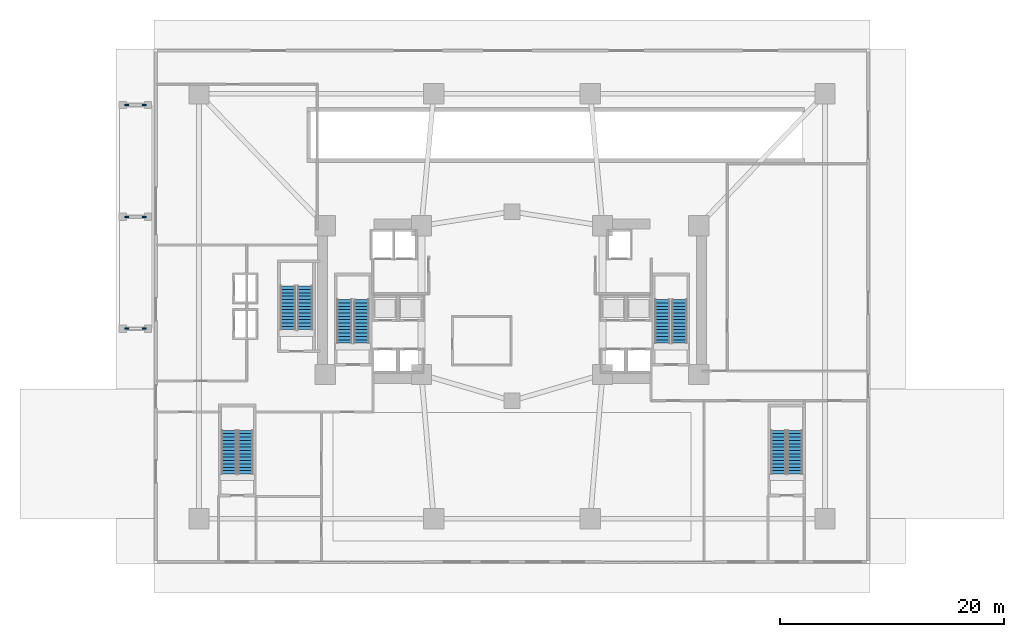
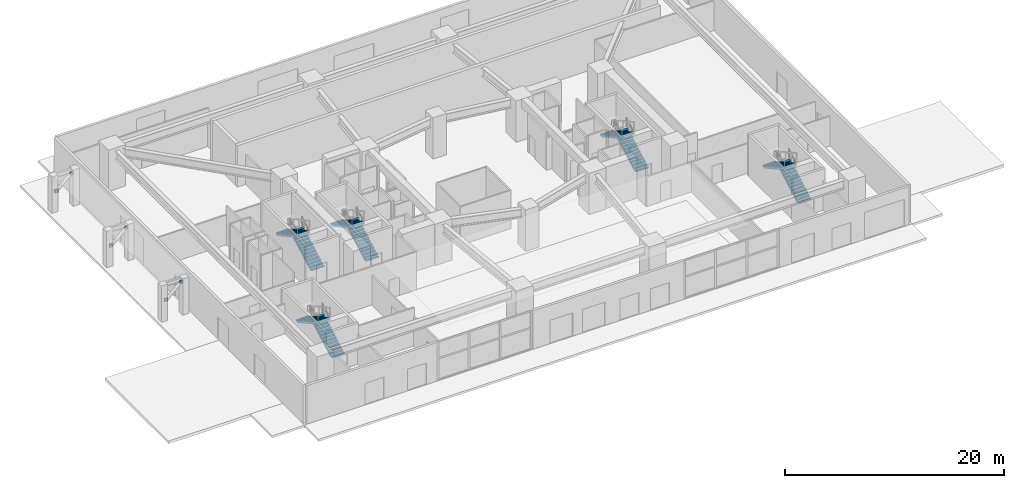
# One storey, part 14 of 18: 10 stair flights, 6 discrete accessories, 5 elements without a shape of their own.
"""IFC4 building model written with IfcOpenShell, lengths in metres."""

from ifc_helpers import new_model, si_unit, direction, frame, origin, origin_2d, place, context, subcontext, project, spatial, polyline, rectangle, outline, extrude, material, layer, layer_set, type_object, element, aggregate, save


model = new_model("IFC4")

# Units and contexts
model_context = context("Model", 3, precision=1e-05, world=origin(), true_north=direction((0.0, 1.0)))
body_context = subcontext(model_context, "Body", "Model", "MODEL_VIEW")
ifc_project = project(units=[si_unit("LENGTHUNIT", "METRE"), si_unit("AREAUNIT", "SQUARE_METRE"), si_unit("VOLUMEUNIT", "CUBIC_METRE"), si_unit("PLANEANGLEUNIT", "RADIAN"), si_unit("MASSUNIT", "GRAM", prefix="KILO")], contexts=[model_context])

# Site, building, storey
site_placement = place(None, origin())
site = spatial("IfcSite", under=ifc_project, at=site_placement, CompositionType="ELEMENT")
building_placement = place(site_placement, origin())
building = spatial("IfcBuilding", under=site, at=building_placement, Name="Solvane Sanctuary Tower", CompositionType="ELEMENT")
storey_placement = place(building_placement, origin())
storey = spatial("IfcBuildingStorey", under=building, at=storey_placement, Name="L01", CompositionType="ELEMENT", Elevation=0.0)

# Stair, stair flights
ifc_material_1 = material(Name="Concrete C50/60", Category="concrete")
stair_type_1 = type_object("IfcStairType", Name="Stair ST-METRO", PredefinedType="HALF_TURN_STAIR", material=ifc_material_1)
stair_1_placement = place(storey_placement, origin())
stair_1 = element("IfcStair", 1, at=stair_1_placement, inside=storey, type_object=stair_type_1, Name="L01 Exit Stair ST-5 Metro East Stair", PredefinedType="HALF_TURN_STAIR")
stair_flight_type_1 = type_object("IfcStairFlightType", Name="StairFlight SF-METRO", PredefinedType="STRAIGHT", material=ifc_material_1)
stair_flight_1_placement = place(storey_placement, frame((57.324951171875, 8.0, 0.0), z_axis=(0.0, 0.0, 1.0), x_axis=(0.0, 1.0, 0.0)))
stair_flight_1 = element("IfcStairFlight", 2, at=stair_flight_1_placement, type_object=stair_flight_type_1, Name="ST-5 flight 1", NumberOfRisers=14, NumberOfTreads=13, PredefinedType="STRAIGHT", RiserHeight=0.164285714, TreadLength=0.3, context=body_context, shape_type="SweptSolid", body=[
    extrude(outline(polyline([(0.0, 0.0), (0.0, 0.164306640625), (0.300048828125, 0.164306640625), (0.300048828125, 0.32861328125), (0.60009765625, 0.32861328125), (0.60009765625, 0.492919921875), (0.89990234375, 0.492919921875), (0.89990234375, 0.6572265625), (1.199951171875, 0.6572265625), (1.199951171875, 0.821533203125), (1.5, 0.821533203125), (1.5, 0.985595703125), (1.800048828125, 0.985595703125), (1.800048828125, 1.14990234375), (2.10009765625, 1.14990234375), (2.10009765625, 1.314208984375), (2.39990234375, 1.314208984375), (2.39990234375, 1.478515625), (2.699951171875, 1.478515625), (2.699951171875, 1.642822265625), (3.0, 1.642822265625), (3.0, 1.80712890625), (3.300048828125, 1.80712890625), (3.300048828125, 1.971435546875), (3.60009765625, 1.971435546875), (3.60009765625, 2.1357421875), (3.89990234375, 2.1357421875), (3.89990234375, 2.300048828125), (3.89990234375, 1.9306640625), (0.37451171875, 0.0), (0.0, 0.0)])), frame((0.0, 0.675048828125, 0.0), z_axis=(0.0, -1.0, 0.0), x_axis=(1.0, 0.0, 0.0)), (0.0, 0.0, 1.0), 1.35009765625),
])
stair_flight_2_placement = place(storey_placement, frame((55.81494140625, 11.89990234375, 2.300048828125), z_axis=(0.0, 0.0, 1.0), x_axis=(0.0, -1.0, 0.0)))
stair_flight_2 = element("IfcStairFlight", 3, at=stair_flight_2_placement, type_object=stair_flight_type_1, Name="ST-5 flight 2", NumberOfRisers=14, NumberOfTreads=13, PredefinedType="STRAIGHT", RiserHeight=0.164285714, TreadLength=0.3, context=body_context, shape_type="SweptSolid", body=[
    extrude(outline(polyline([(0.0, 0.0), (0.0, 0.164306640625), (0.300048828125, 0.164306640625), (0.300048828125, 0.32861328125), (0.60009765625, 0.32861328125), (0.60009765625, 0.492919921875), (0.89990234375, 0.492919921875), (0.89990234375, 0.6572265625), (1.199951171875, 0.6572265625), (1.199951171875, 0.821533203125), (1.5, 0.821533203125), (1.5, 0.985595703125), (1.800048828125, 0.985595703125), (1.800048828125, 1.14990234375), (2.10009765625, 1.14990234375), (2.10009765625, 1.314208984375), (2.39990234375, 1.314208984375), (2.39990234375, 1.478515625), (2.699951171875, 1.478515625), (2.699951171875, 1.642822265625), (3.0, 1.642822265625), (3.0, 1.80712890625), (3.300048828125, 1.80712890625), (3.300048828125, 1.971435546875), (3.60009765625, 1.971435546875), (3.60009765625, 2.1357421875), (3.89990234375, 2.1357421875), (3.89990234375, 2.300048828125), (3.89990234375, 1.9306640625), (0.37451171875, 0.0), (0.0, 0.0)])), frame((0.0, 0.675048828125, 0.0), z_axis=(0.0, -1.0, 0.0), x_axis=(1.0, 0.0, 0.0)), (0.0, 0.0, 1.0), 1.35009765625),
])
aggregate(stair_1, [stair_flight_1, stair_flight_2])

stair_type_2 = type_object("IfcStairType", Name="Stair ST-POD", PredefinedType="HALF_TURN_STAIR", material=ifc_material_1)
stair_2_placement = place(storey_placement, origin())
stair_2 = element("IfcStair", 4, at=stair_2_placement, inside=storey, type_object=stair_type_2, Name="L01 Exit Stair ST-4 Metro West Stair", PredefinedType="HALF_TURN_STAIR")
stair_flight_type_2 = type_object("IfcStairFlightType", Name="StairFlight SF-POD", PredefinedType="STRAIGHT", material=ifc_material_1)
stair_flight_3_placement = place(storey_placement, frame((8.18505859375, 8.0, 0.0), z_axis=(0.0, 0.0, 1.0), x_axis=(0.0, 1.0, 0.0)))
stair_flight_3 = element("IfcStairFlight", 5, at=stair_flight_3_placement, type_object=stair_flight_type_2, Name="ST-4 flight 1", NumberOfRisers=14, NumberOfTreads=13, PredefinedType="STRAIGHT", RiserHeight=0.164285714, TreadLength=0.3, context=body_context, shape_type="SweptSolid", body=[
    extrude(outline(polyline([(0.0, 0.0), (0.0, 0.164306640625), (0.300048828125, 0.164306640625), (0.300048828125, 0.32861328125), (0.60009765625, 0.32861328125), (0.60009765625, 0.492919921875), (0.89990234375, 0.492919921875), (0.89990234375, 0.6572265625), (1.199951171875, 0.6572265625), (1.199951171875, 0.821533203125), (1.5, 0.821533203125), (1.5, 0.985595703125), (1.800048828125, 0.985595703125), (1.800048828125, 1.14990234375), (2.10009765625, 1.14990234375), (2.10009765625, 1.314208984375), (2.39990234375, 1.314208984375), (2.39990234375, 1.478515625), (2.699951171875, 1.478515625), (2.699951171875, 1.642822265625), (3.0, 1.642822265625), (3.0, 1.80712890625), (3.300048828125, 1.80712890625), (3.300048828125, 1.971435546875), (3.60009765625, 1.971435546875), (3.60009765625, 2.1357421875), (3.89990234375, 2.1357421875), (3.89990234375, 2.300048828125), (3.89990234375, 1.9306640625), (0.37451171875, 0.0), (0.0, 0.0)])), frame((0.0, 0.675048828125, 0.0), z_axis=(0.0, -1.0, 0.0), x_axis=(1.0, 0.0, 0.0)), (0.0, 0.0, 1.0), 1.35009765625),
])
stair_flight_4_placement = place(storey_placement, frame((6.675048828125, 11.89990234375, 2.300048828125), z_axis=(0.0, 0.0, 1.0), x_axis=(0.0, -1.0, 0.0)))
stair_flight_4 = element("IfcStairFlight", 6, at=stair_flight_4_placement, type_object=stair_flight_type_2, Name="ST-4 flight 2", NumberOfRisers=14, NumberOfTreads=13, PredefinedType="STRAIGHT", RiserHeight=0.164285714, TreadLength=0.3, context=body_context, shape_type="SweptSolid", body=[
    extrude(outline(polyline([(0.0, 0.0), (0.0, 0.164306640625), (0.300048828125, 0.164306640625), (0.300048828125, 0.32861328125), (0.60009765625, 0.32861328125), (0.60009765625, 0.492919921875), (0.89990234375, 0.492919921875), (0.89990234375, 0.6572265625), (1.199951171875, 0.6572265625), (1.199951171875, 0.821533203125), (1.5, 0.821533203125), (1.5, 0.985595703125), (1.800048828125, 0.985595703125), (1.800048828125, 1.14990234375), (2.10009765625, 1.14990234375), (2.10009765625, 1.314208984375), (2.39990234375, 1.314208984375), (2.39990234375, 1.478515625), (2.699951171875, 1.478515625), (2.699951171875, 1.642822265625), (3.0, 1.642822265625), (3.0, 1.80712890625), (3.300048828125, 1.80712890625), (3.300048828125, 1.971435546875), (3.60009765625, 1.971435546875), (3.60009765625, 2.1357421875), (3.89990234375, 2.1357421875), (3.89990234375, 2.300048828125), (3.89990234375, 1.9306640625), (0.37451171875, 0.0), (0.0, 0.0)])), frame((0.0, 0.675048828125, 0.0), z_axis=(0.0, -1.0, 0.0), x_axis=(1.0, 0.0, 0.0)), (0.0, 0.0, 1.0), 1.35009765625),
])
aggregate(stair_2, [stair_flight_3, stair_flight_4])

ifc_material_2 = material(Name="Concrete C45/55", Category="concrete")
stair_type_3 = type_object("IfcStairType", Name="Stair ST-TOW", PredefinedType="HALF_TURN_STAIR", material=ifc_material_2)
stair_3_placement = place(storey_placement, origin())
stair_3 = element("IfcStair", 7, at=stair_3_placement, inside=storey, type_object=stair_type_3, Name="L01 Exit Stair ST-1 West Core", PredefinedType="HALF_TURN_STAIR")
stair_flight_type_3 = type_object("IfcStairFlightType", Name="StairFlight SF-TOW", PredefinedType="STRAIGHT", material=ifc_material_2)
stair_flight_5_placement = place(storey_placement, frame((18.544921875, 19.699951171875, 0.0), z_axis=(0.0, 0.0, 1.0), x_axis=(0.0, 1.0, 0.0)))
stair_flight_5 = element("IfcStairFlight", 8, at=stair_flight_5_placement, type_object=stair_flight_type_3, Name="ST-1 flight 1", NumberOfRisers=14, NumberOfTreads=13, PredefinedType="STRAIGHT", RiserHeight=0.164285714, TreadLength=0.3, context=body_context, shape_type="SweptSolid", body=[
    extrude(outline(polyline([(0.0, 0.0), (0.0, 0.164306640625), (0.300048828125, 0.164306640625), (0.300048828125, 0.32861328125), (0.60009765625, 0.32861328125), (0.60009765625, 0.492919921875), (0.89990234375, 0.492919921875), (0.89990234375, 0.6572265625), (1.199951171875, 0.6572265625), (1.199951171875, 0.821533203125), (1.5, 0.821533203125), (1.5, 0.985595703125), (1.800048828125, 0.985595703125), (1.800048828125, 1.14990234375), (2.10009765625, 1.14990234375), (2.10009765625, 1.314208984375), (2.39990234375, 1.314208984375), (2.39990234375, 1.478515625), (2.699951171875, 1.478515625), (2.699951171875, 1.642822265625), (3.0, 1.642822265625), (3.0, 1.80712890625), (3.300048828125, 1.80712890625), (3.300048828125, 1.971435546875), (3.60009765625, 1.971435546875), (3.60009765625, 2.1357421875), (3.89990234375, 2.1357421875), (3.89990234375, 2.300048828125), (3.89990234375, 1.9306640625), (0.37451171875, 0.0), (0.0, 0.0)])), frame((0.0, 0.675048828125, 0.0), z_axis=(0.0, -1.0, 0.0), x_axis=(1.0, 0.0, 0.0)), (0.0, 0.0, 1.0), 1.35009765625),
])
stair_flight_6_placement = place(storey_placement, frame((17.034912109375, 23.60009765625, 2.300048828125), z_axis=(0.0, 0.0, 1.0), x_axis=(0.0, -1.0, 0.0)))
stair_flight_6 = element("IfcStairFlight", 9, at=stair_flight_6_placement, type_object=stair_flight_type_3, Name="ST-1 flight 2", NumberOfRisers=14, NumberOfTreads=13, PredefinedType="STRAIGHT", RiserHeight=0.164285714, TreadLength=0.3, context=body_context, shape_type="SweptSolid", body=[
    extrude(outline(polyline([(0.0, 0.0), (0.0, 0.164306640625), (0.300048828125, 0.164306640625), (0.300048828125, 0.32861328125), (0.60009765625, 0.32861328125), (0.60009765625, 0.492919921875), (0.89990234375, 0.492919921875), (0.89990234375, 0.6572265625), (1.199951171875, 0.6572265625), (1.199951171875, 0.821533203125), (1.5, 0.821533203125), (1.5, 0.985595703125), (1.800048828125, 0.985595703125), (1.800048828125, 1.14990234375), (2.10009765625, 1.14990234375), (2.10009765625, 1.314208984375), (2.39990234375, 1.314208984375), (2.39990234375, 1.478515625), (2.699951171875, 1.478515625), (2.699951171875, 1.642822265625), (3.0, 1.642822265625), (3.0, 1.80712890625), (3.300048828125, 1.80712890625), (3.300048828125, 1.971435546875), (3.60009765625, 1.971435546875), (3.60009765625, 2.1357421875), (3.89990234375, 2.1357421875), (3.89990234375, 2.300048828125), (3.89990234375, 1.9306640625), (0.37451171875, 0.0), (0.0, 0.0)])), frame((0.0, 0.675048828125, 0.0), z_axis=(0.0, -1.0, 0.0), x_axis=(1.0, 0.0, 0.0)), (0.0, 0.0, 1.0), 1.35009765625),
])
aggregate(stair_3, [stair_flight_5, stair_flight_6])

stair_4_placement = place(storey_placement, origin())
stair_4 = element("IfcStair", 10, at=stair_4_placement, inside=storey, type_object=stair_type_3, Name="L01 Exit Stair ST-2 East Core", PredefinedType="HALF_TURN_STAIR")
stair_flight_7_placement = place(storey_placement, frame((46.965087890625, 19.699951171875, 0.0), z_axis=(0.0, 0.0, 1.0), x_axis=(0.0, 1.0, 0.0)))
stair_flight_7 = element("IfcStairFlight", 11, at=stair_flight_7_placement, type_object=stair_flight_type_3, Name="ST-2 flight 1", NumberOfRisers=14, NumberOfTreads=13, PredefinedType="STRAIGHT", RiserHeight=0.164285714, TreadLength=0.3, context=body_context, shape_type="SweptSolid", body=[
    extrude(outline(polyline([(0.0, 0.0), (0.0, 0.164306640625), (0.300048828125, 0.164306640625), (0.300048828125, 0.32861328125), (0.60009765625, 0.32861328125), (0.60009765625, 0.492919921875), (0.89990234375, 0.492919921875), (0.89990234375, 0.6572265625), (1.199951171875, 0.6572265625), (1.199951171875, 0.821533203125), (1.5, 0.821533203125), (1.5, 0.985595703125), (1.800048828125, 0.985595703125), (1.800048828125, 1.14990234375), (2.10009765625, 1.14990234375), (2.10009765625, 1.314208984375), (2.39990234375, 1.314208984375), (2.39990234375, 1.478515625), (2.699951171875, 1.478515625), (2.699951171875, 1.642822265625), (3.0, 1.642822265625), (3.0, 1.80712890625), (3.300048828125, 1.80712890625), (3.300048828125, 1.971435546875), (3.60009765625, 1.971435546875), (3.60009765625, 2.1357421875), (3.89990234375, 2.1357421875), (3.89990234375, 2.300048828125), (3.89990234375, 1.9306640625), (0.37451171875, 0.0), (0.0, 0.0)])), frame((0.0, 0.675048828125, 0.0), z_axis=(0.0, -1.0, 0.0), x_axis=(1.0, 0.0, 0.0)), (0.0, 0.0, 1.0), 1.35009765625),
])
stair_flight_8_placement = place(storey_placement, frame((45.455078125, 23.60009765625, 2.300048828125), z_axis=(0.0, 0.0, 1.0), x_axis=(0.0, -1.0, 0.0)))
stair_flight_8 = element("IfcStairFlight", 12, at=stair_flight_8_placement, type_object=stair_flight_type_3, Name="ST-2 flight 2", NumberOfRisers=14, NumberOfTreads=13, PredefinedType="STRAIGHT", RiserHeight=0.164285714, TreadLength=0.3, context=body_context, shape_type="SweptSolid", body=[
    extrude(outline(polyline([(0.0, 0.0), (0.0, 0.164306640625), (0.300048828125, 0.164306640625), (0.300048828125, 0.32861328125), (0.60009765625, 0.32861328125), (0.60009765625, 0.492919921875), (0.89990234375, 0.492919921875), (0.89990234375, 0.6572265625), (1.199951171875, 0.6572265625), (1.199951171875, 0.821533203125), (1.5, 0.821533203125), (1.5, 0.985595703125), (1.800048828125, 0.985595703125), (1.800048828125, 1.14990234375), (2.10009765625, 1.14990234375), (2.10009765625, 1.314208984375), (2.39990234375, 1.314208984375), (2.39990234375, 1.478515625), (2.699951171875, 1.478515625), (2.699951171875, 1.642822265625), (3.0, 1.642822265625), (3.0, 1.80712890625), (3.300048828125, 1.80712890625), (3.300048828125, 1.971435546875), (3.60009765625, 1.971435546875), (3.60009765625, 2.1357421875), (3.89990234375, 2.1357421875), (3.89990234375, 2.300048828125), (3.89990234375, 1.9306640625), (0.37451171875, 0.0), (0.0, 0.0)])), frame((0.0, 0.675048828125, 0.0), z_axis=(0.0, -1.0, 0.0), x_axis=(1.0, 0.0, 0.0)), (0.0, 0.0, 1.0), 1.35009765625),
])
aggregate(stair_4, [stair_flight_7, stair_flight_8])

stair_5_placement = place(storey_placement, origin())
stair_5 = element("IfcStair", 13, at=stair_5_placement, inside=storey, type_object=stair_type_3, Name="L01 Exit Stair ST-3 Pilgrim Tower Stair", PredefinedType="HALF_TURN_STAIR")
stair_flight_9_placement = place(storey_placement, frame((13.485107421875, 20.89990234375, 0.0), z_axis=(0.0, 0.0, 1.0), x_axis=(0.0, 1.0, 0.0)))
stair_flight_9 = element("IfcStairFlight", 14, at=stair_flight_9_placement, type_object=stair_flight_type_3, Name="ST-3 flight 1", NumberOfRisers=14, NumberOfTreads=13, PredefinedType="STRAIGHT", RiserHeight=0.164285714, TreadLength=0.3, context=body_context, shape_type="SweptSolid", body=[
    extrude(outline(polyline([(0.0, 0.0), (0.0, 0.164306640625), (0.300048828125, 0.164306640625), (0.300048828125, 0.32861328125), (0.60009765625, 0.32861328125), (0.60009765625, 0.492919921875), (0.89990234375, 0.492919921875), (0.89990234375, 0.6572265625), (1.199951171875, 0.6572265625), (1.199951171875, 0.821533203125), (1.5, 0.821533203125), (1.5, 0.985595703125), (1.800048828125, 0.985595703125), (1.800048828125, 1.14990234375), (2.10009765625, 1.14990234375), (2.10009765625, 1.314208984375), (2.39990234375, 1.314208984375), (2.39990234375, 1.478515625), (2.699951171875, 1.478515625), (2.699951171875, 1.642822265625), (3.0, 1.642822265625), (3.0, 1.80712890625), (3.300048828125, 1.80712890625), (3.300048828125, 1.971435546875), (3.60009765625, 1.971435546875), (3.60009765625, 2.1357421875), (3.89990234375, 2.1357421875), (3.89990234375, 2.300048828125), (3.89990234375, 1.9306640625), (0.37451171875, 0.0), (0.0, 0.0)])), frame((0.0, 0.675048828125, 0.0), z_axis=(0.0, -1.0, 0.0), x_axis=(1.0, 0.0, 0.0)), (0.0, 0.0, 1.0), 1.35009765625),
])
stair_flight_10_placement = place(storey_placement, frame((11.97509765625, 24.800048828125, 2.300048828125), z_axis=(0.0, 0.0, 1.0), x_axis=(0.0, -1.0, 0.0)))
stair_flight_10 = element("IfcStairFlight", 15, at=stair_flight_10_placement, type_object=stair_flight_type_3, Name="ST-3 flight 2", NumberOfRisers=14, NumberOfTreads=13, PredefinedType="STRAIGHT", RiserHeight=0.164285714, TreadLength=0.3, context=body_context, shape_type="SweptSolid", body=[
    extrude(outline(polyline([(0.0, 0.0), (0.0, 0.164306640625), (0.300048828125, 0.164306640625), (0.300048828125, 0.32861328125), (0.60009765625, 0.32861328125), (0.60009765625, 0.492919921875), (0.89990234375, 0.492919921875), (0.89990234375, 0.6572265625), (1.199951171875, 0.6572265625), (1.199951171875, 0.821533203125), (1.5, 0.821533203125), (1.5, 0.985595703125), (1.800048828125, 0.985595703125), (1.800048828125, 1.14990234375), (2.10009765625, 1.14990234375), (2.10009765625, 1.314208984375), (2.39990234375, 1.314208984375), (2.39990234375, 1.478515625), (2.699951171875, 1.478515625), (2.699951171875, 1.642822265625), (3.0, 1.642822265625), (3.0, 1.80712890625), (3.300048828125, 1.80712890625), (3.300048828125, 1.971435546875), (3.60009765625, 1.971435546875), (3.60009765625, 2.1357421875), (3.89990234375, 2.1357421875), (3.89990234375, 2.300048828125), (3.89990234375, 1.9306640625), (0.37451171875, 0.0), (0.0, 0.0)])), frame((0.0, 0.675048828125, 0.0), z_axis=(0.0, -1.0, 0.0), x_axis=(1.0, 0.0, 0.0)), (0.0, 0.0, 1.0), 1.35009765625),
])
aggregate(stair_5, [stair_flight_9, stair_flight_10])

# Discrete accessories
ifc_material_3 = material(Name="Steel ASTM A572 Grade 50", Category="steel")
ifc_layer = layer(ifc_material_3, 0.360107421875, Name="Steel ASTM A572 Grade 50")
ifc_layer_set = layer_set([ifc_layer], Name="Steel ASTM A572 Grade 50")
discrete_accessory_type = type_object("IfcDiscreteAccessoryType", Name="Accessory ACC-GUSSET-BRK", PredefinedType="BRACKET", material=ifc_layer_set)
for number, where, z_axis, x_axis, name in (
    (16, (-2.47119140625, 21.0, 1.91650390625), (0.0, 0.0, 1.0), (1.0, 0.0, 0.0), "L01 Canopy Raking Strut W1 End Gusset Bracket A"),
    (17, (-0.878662109375, 21.0, 3.35498046875), (0.0, 0.0, 1.0), (1.0, 0.0, 0.0), "L01 Canopy Raking Strut W1 End Gusset Bracket B"),
    (18, (-2.47119140625, 31.0, 1.91650390625), (0.0, 0.0, 1.0), (1.0, 0.0, 0.0), "L01 Canopy Raking Strut W2 End Gusset Bracket A"),
    (19, (-0.878662109375, 31.0, 3.35498046875), (0.0, 0.0, 1.0), (1.0, 0.0, 0.0), "L01 Canopy Raking Strut W2 End Gusset Bracket B"),
    (20, (-2.47119140625, 41.0, 1.91650390625), (0.0, 0.0, 1.0), (1.0, 0.0, 0.0), "L01 Canopy Raking Strut W3 End Gusset Bracket A"),
    (21, (-0.878662109375, 41.0, 3.35498046875), (0.0, 0.0, 1.0), (1.0, 0.0, 0.0), "L01 Canopy Raking Strut W3 End Gusset Bracket B"),
):
    element("IfcDiscreteAccessory", number, at=place(storey_placement, frame(where, z_axis=z_axis, x_axis=x_axis)), inside=storey, type_object=discrete_accessory_type, Name=name, PredefinedType="BRACKET", context=body_context, shape_type="SweptSolid", body=[
        extrude(rectangle(XDim=0.360107421875, YDim=0.139892578125, at=origin_2d()), origin(), (0.0, 0.0, 1.0), 0.360107421875),
    ])

save(model, "model.ifc")
